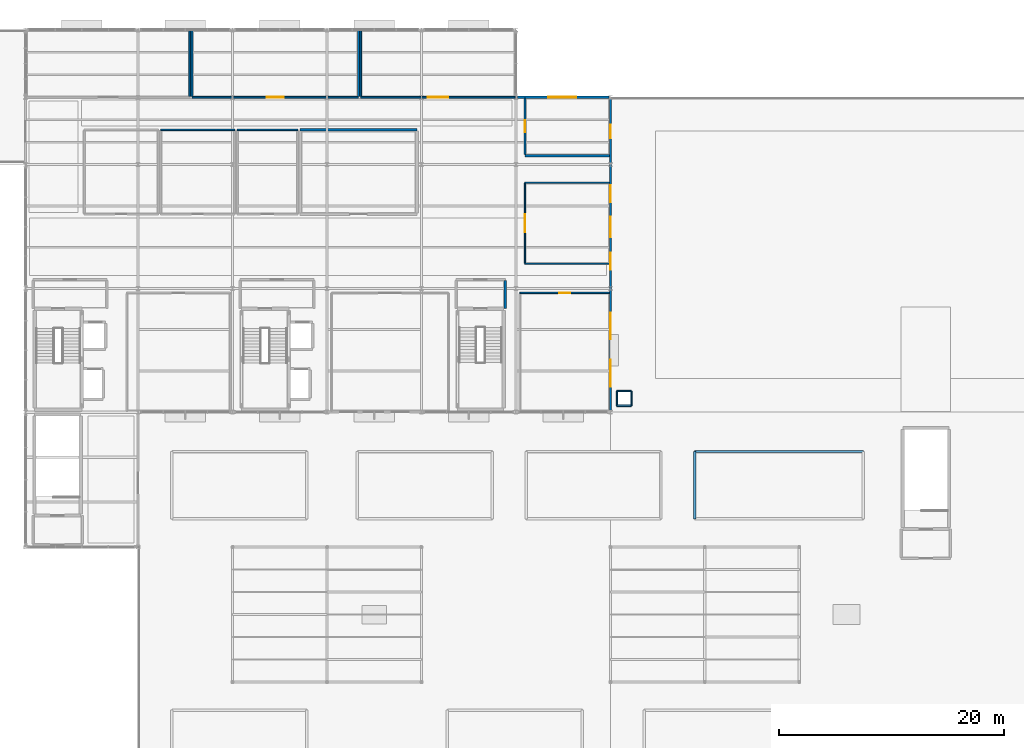
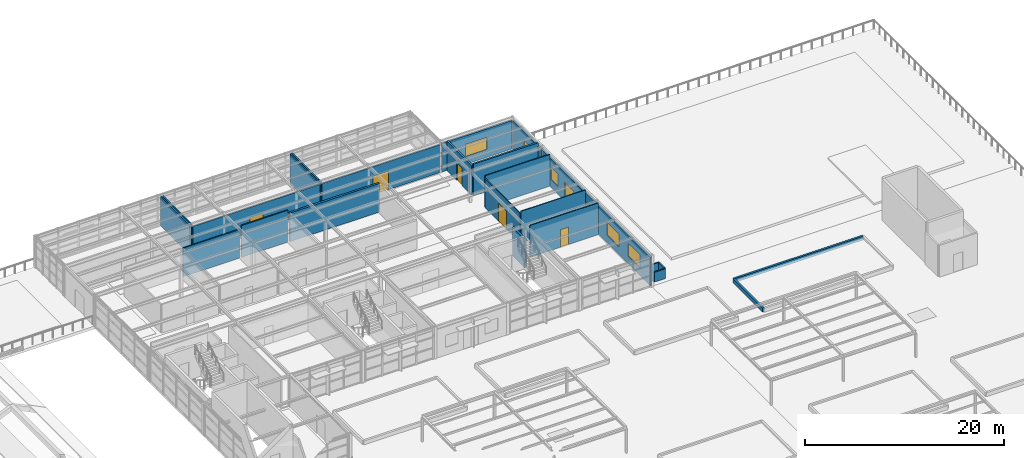
# One storey, part 43 of 49: 26 walls, 6 doors, 6 windows, 12 openings.
"""IFC4 building model written with IfcOpenShell, lengths in metres."""

from ifc_helpers import new_model, si_unit, direction, frame, frame_2d, origin, place, context, subcontext, project, spatial, rectangle, extrude, material, layer, layer_set, type_object, element, fill, save


model = new_model("IFC4")

# Units and contexts
model_context = context("Model", 3, precision=1e-05, world=origin(), true_north=direction((0.0, 1.0)))
body_context = subcontext(model_context, "Body", "Model", "MODEL_VIEW")
ifc_project = project(units=[si_unit("LENGTHUNIT", "METRE"), si_unit("AREAUNIT", "SQUARE_METRE"), si_unit("VOLUMEUNIT", "CUBIC_METRE"), si_unit("PLANEANGLEUNIT", "RADIAN"), si_unit("MASSUNIT", "GRAM", prefix="KILO")], contexts=[model_context])

# Site, building, storey
site_placement = place(None, origin())
site = spatial("IfcSite", under=ifc_project, at=site_placement, CompositionType="ELEMENT")
building_placement = place(site_placement, origin())
building = spatial("IfcBuilding", under=site, at=building_placement, Name="Sitalva Quay Ferry Terminal", CompositionType="ELEMENT")
storey_placement = place(building_placement, frame((0.0, 0.0, 10.199951171875)))
storey = spatial("IfcBuildingStorey", under=building, at=storey_placement, Name="L03", CompositionType="ELEMENT", Elevation=10.199951171875)

# Wall
ifc_material_1 = material(Name="Concrete Blockwork C30/37", Category="masonry")
ifc_layer_1 = layer(ifc_material_1, 0.2099609375)
ifc_layer_set_1 = layer_set([ifc_layer_1], Name="Concrete Blockwork C30/37")
wall_type_1 = type_object("IfcWallType", Name="Wall_Archive_210", PredefinedType="SOLIDWALL", material=ifc_layer_set_1)
wall_1_placement = place(storey_placement, frame((118.39990234375, 100.800048828125, 0.0), z_axis=(0.0, 0.0, 1.0), x_axis=(1.0, 0.0, 0.0)))
element("IfcWall", 1, at=wall_1_placement, inside=storey, type_object=wall_type_1, Name="Port Manifest & Maritime Registry Archive S wall IW-L03-0276", PredefinedType="SOLIDWALL", context=body_context, shape_type="SweptSolid", body=[
    extrude(rectangle(XDim=7.52001953125, YDim=0.2099609375, at=frame_2d((3.760009765625, 0.0))), origin(), (0.0, 0.0, 1.0), 3.900146484375),
])

# Wall, opening, door
wall_2_placement = place(storey_placement, frame((118.39990234375, 100.905029296875, 0.0), z_axis=(0.0, 0.0, 1.0), x_axis=(0.0, 1.0, 0.0)))
wall_2 = element("IfcWall", 2, at=wall_2_placement, inside=storey, type_object=wall_type_1, Name="Port Manifest & Maritime Registry Archive W wall IW-L03-0277", PredefinedType="SOLIDWALL", context=body_context, shape_type="SweptSolid", body=[
    extrude(rectangle(XDim=5.014892578125, YDim=0.2099609375, at=frame_2d((2.50732421875, 0.0))), origin(), (0.0, 0.0, 1.0), 3.60693359375),
])
opening_1_placement = place(wall_2_placement, frame((1.982421875, 0.0, 0.0)))
opening_1 = element("IfcOpeningElement", 3, at=opening_1_placement, cuts=wall_2, Name="Opening ID-L03-097", PredefinedType="OPENING", context=body_context, shape_type="SweptSolid", body=[
    extrude(rectangle(XDim=1.050048828125, YDim=2.14990234375, at=frame_2d((0.52490234375, 1.074951171875))), frame((0.0, 0.114990234375, 0.0), z_axis=(0.0, -1.0, 0.0), x_axis=(1.0, 0.0, 0.0)), (0.0, 0.0, 1.0), 0.22998046875),
])
ifc_material_2 = material(Name="Fire-Rated Steel Archive Door", Category="steel")
door_type_1 = type_object("IfcDoorType", Name="Door_Archive_1050x2150", OperationType="SINGLE_SWING_LEFT", PredefinedType="DOOR", material=ifc_material_2)
door_1_placement = place(opening_1_placement, origin())
door_1 = element("IfcDoor", 4, at=door_1_placement, inside=storey, type_object=door_type_1, Name="IDOOR-ID-L03-097 Port Manifest & Maritime Registry Archive entrance ID-L03-097", OperationType="SINGLE_SWING_LEFT", OverallHeight=2.14990234375, OverallWidth=1.050048828125, PredefinedType="DOOR", context=body_context, shape_type="SweptSolid", body=[
    extrude(rectangle(XDim=1.050048828125, YDim=2.14990234375, at=frame_2d((0.52490234375, 1.074951171875))), frame((0.0, 0.02490234375, 0.0), z_axis=(0.0, -1.0, 0.0), x_axis=(1.0, 0.0, 0.0)), (0.0, 0.0, 1.0), 0.050048828125),
])
fill(opening_1, door_1)

# Wall, openings, windows
ifc_material_3 = material(Name="Architectural Concrete C40/50", Category="concrete")
ifc_layer_2 = layer(ifc_material_3, 0.18994140625)
ifc_layer_set_2 = layer_set([ifc_layer_2], Name="Architectural Concrete C40/50")
wall_type_2 = type_object("IfcWallType", Name="Wall_ExtSpandrel_190", PredefinedType="SOLIDWALL", material=ifc_layer_set_2)
wall_3_placement = place(storey_placement, frame((126.0, 78.140380859375, 0.0), z_axis=(0.0, 0.0, 1.0), x_axis=(0.0, 1.0, 0.0)))
wall_3 = element("IfcWall", 5, at=wall_3_placement, inside=storey, type_object=wall_type_2, Name="L03 maritime bridge east terrace wall EW-L03-179", PredefinedType="SOLIDWALL", context=body_context, shape_type="SweptSolid", body=[
    extrude(rectangle(XDim=11.01220703125, YDim=0.18994140625, at=frame_2d((5.506103515625, 0.0))), origin(), (0.0, 0.0, 1.0), 3.508056640625),
])
opening_2_placement = place(wall_3_placement, frame((2.119384765625, 0.0, 0.949951171875)))
opening_2 = element("IfcOpeningElement", 6, at=opening_2_placement, cuts=wall_3, Name="Opening WN-L03-063", PredefinedType="OPENING", context=body_context, shape_type="SweptSolid", body=[
    extrude(rectangle(XDim=2.39990234375, YDim=1.60009765625, at=frame_2d((1.199951171875, 0.800048828125))), frame((0.0, 0.10498046875, 0.0), z_axis=(0.0, -1.0, 0.0), x_axis=(1.0, 0.0, 0.0)), (0.0, 0.0, 1.0), 0.2099609375),
])
opening_3_placement = place(wall_3_placement, frame((6.319580078125, 0.0, 0.949951171875)))
opening_3 = element("IfcOpeningElement", 7, at=opening_3_placement, cuts=wall_3, Name="Opening WN-L03-064", PredefinedType="OPENING", context=body_context, shape_type="SweptSolid", body=[
    extrude(rectangle(XDim=2.39990234375, YDim=1.60009765625, at=frame_2d((1.199951171875, 0.800048828125))), frame((0.0, 0.10498046875, 0.0), z_axis=(0.0, -1.0, 0.0), x_axis=(1.0, 0.0, 0.0)), (0.0, 0.0, 1.0), 0.2099609375),
])
ifc_material_4 = material(Name="Anodised Aluminium & Low-E Glass", Category="aluminium")
window_type_1 = type_object("IfcWindowType", Name="Win_Ribbon_2400x1600", PartitioningType="SINGLE_PANEL", PredefinedType="WINDOW", material=ifc_material_4)
window_1_placement = place(opening_2_placement, origin())
window_1 = element("IfcWindow", 8, at=window_1_placement, inside=storey, type_object=window_type_1, Name="L03 east office ribbon window WN-L03-063", OverallHeight=1.60009765625, OverallWidth=2.39990234375, PartitioningType="SINGLE_PANEL", PredefinedType="WINDOW", context=body_context, shape_type="SweptSolid", body=[
    extrude(rectangle(XDim=2.39990234375, YDim=1.60009765625, at=frame_2d((1.199951171875, 0.800048828125))), frame((0.0, 0.030029296875, 0.0), z_axis=(0.0, -1.0, 0.0), x_axis=(1.0, 0.0, 0.0)), (0.0, 0.0, 1.0), 0.06005859375),
])
fill(opening_2, window_1)
window_2_placement = place(opening_3_placement, origin())
window_2 = element("IfcWindow", 9, at=window_2_placement, inside=storey, type_object=window_type_1, Name="L03 east office ribbon window WN-L03-064", OverallHeight=1.60009765625, OverallWidth=2.39990234375, PartitioningType="SINGLE_PANEL", PredefinedType="WINDOW", context=body_context, shape_type="SweptSolid", body=[
    extrude(rectangle(XDim=2.39990234375, YDim=1.60009765625, at=frame_2d((1.199951171875, 0.800048828125))), frame((0.0, 0.030029296875, 0.0), z_axis=(0.0, -1.0, 0.0), x_axis=(1.0, 0.0, 0.0)), (0.0, 0.0, 1.0), 0.06005859375),
])
fill(opening_3, window_2)

# Wall, openings, door, windows
wall_4_placement = place(storey_placement, frame((126.0, 89.140380859375, 0.0), z_axis=(0.0, 0.0, 1.0), x_axis=(0.0, 1.0, 0.0)))
wall_4 = element("IfcWall", 10, at=wall_4_placement, inside=storey, type_object=wall_type_2, Name="L03 maritime bridge east terrace wall EW-L03-180", PredefinedType="SOLIDWALL", context=body_context, shape_type="SweptSolid", body=[
    extrude(rectangle(XDim=11.01220703125, YDim=0.18994140625, at=frame_2d((5.506103515625, 0.0))), origin(), (0.0, 0.0, 1.0), 3.508056640625),
])
opening_4_placement = place(wall_4_placement, frame((4.41943359375, 0.0, 0.0)))
opening_4 = element("IfcOpeningElement", 11, at=opening_4_placement, cuts=wall_4, Name="Opening ED-L03-041", PredefinedType="OPENING", context=body_context, shape_type="SweptSolid", body=[
    extrude(rectangle(XDim=1.800048828125, YDim=2.25, at=frame_2d((0.89990234375, 1.125))), frame((0.0, 0.10498046875, 0.0), z_axis=(0.0, -1.0, 0.0), x_axis=(1.0, 0.0, 0.0)), (0.0, 0.0, 1.0), 0.2099609375),
])
opening_5_placement = place(wall_4_placement, frame((1.51953125, 0.0, 0.949951171875)))
opening_5 = element("IfcOpeningElement", 12, at=opening_5_placement, cuts=wall_4, Name="Opening WN-L03-065", PredefinedType="OPENING", context=body_context, shape_type="SweptSolid", body=[
    extrude(rectangle(XDim=1.5, YDim=1.5, at=frame_2d((0.75, 0.75))), frame((0.0, 0.10498046875, 0.0), z_axis=(0.0, -1.0, 0.0), x_axis=(1.0, 0.0, 0.0)), (0.0, 0.0, 1.0), 0.2099609375),
])
opening_6_placement = place(wall_4_placement, frame((7.51953125, 0.0, 0.949951171875)))
opening_6 = element("IfcOpeningElement", 13, at=opening_6_placement, cuts=wall_4, Name="Opening WN-L03-066", PredefinedType="OPENING", context=body_context, shape_type="SweptSolid", body=[
    extrude(rectangle(XDim=1.5, YDim=1.5, at=frame_2d((0.75, 0.75))), frame((0.0, 0.10498046875, 0.0), z_axis=(0.0, -1.0, 0.0), x_axis=(1.0, 0.0, 0.0)), (0.0, 0.0, 1.0), 0.2099609375),
])
ifc_material_5 = material(Name="Anodised Aluminium & Low-E Glass", Category="aluminium")
door_type_2 = type_object("IfcDoorType", Name="Door_Terrace_1800x2250", OperationType="DOUBLE_DOOR_SINGLE_SWING", PredefinedType="DOOR", material=ifc_material_5)
door_2_placement = place(opening_4_placement, origin())
door_2 = element("IfcDoor", 14, at=door_2_placement, inside=storey, type_object=door_type_2, Name="EDOOR-ED-L03-041 L03 far-east planted roof terrace door ED-L03-041", OperationType="DOUBLE_DOOR_SINGLE_SWING", OverallHeight=2.25, OverallWidth=1.800048828125, PredefinedType="DOOR", context=body_context, shape_type="SweptSolid", body=[
    extrude(rectangle(XDim=1.800048828125, YDim=2.25, at=frame_2d((0.89990234375, 1.125))), frame((0.0, 0.02490234375, 0.0), z_axis=(0.0, -1.0, 0.0), x_axis=(1.0, 0.0, 0.0)), (0.0, 0.0, 1.0), 0.050048828125),
])
fill(opening_4, door_2)
ifc_material_6 = material(Name="Anodised Aluminium & Low-E Glass", Category="aluminium")
window_type_2 = type_object("IfcWindowType", Name="Win_Office_1500x1500", PartitioningType="SINGLE_PANEL", PredefinedType="WINDOW", material=ifc_material_6)
window_3_placement = place(opening_5_placement, origin())
window_3 = element("IfcWindow", 15, at=window_3_placement, inside=storey, type_object=window_type_2, Name="L03 east office window WN-L03-065", OverallHeight=1.5, OverallWidth=1.5, PartitioningType="SINGLE_PANEL", PredefinedType="WINDOW", context=body_context, shape_type="SweptSolid", body=[
    extrude(rectangle(XDim=1.5, YDim=1.5, at=frame_2d((0.75, 0.75))), frame((0.0, 0.030029296875, 0.0), z_axis=(0.0, -1.0, 0.0), x_axis=(1.0, 0.0, 0.0)), (0.0, 0.0, 1.0), 0.06005859375),
])
fill(opening_5, window_3)
window_4_placement = place(opening_6_placement, origin())
window_4 = element("IfcWindow", 16, at=window_4_placement, inside=storey, type_object=window_type_2, Name="L03 east office window WN-L03-066", OverallHeight=1.5, OverallWidth=1.5, PartitioningType="SINGLE_PANEL", PredefinedType="WINDOW", context=body_context, shape_type="SweptSolid", body=[
    extrude(rectangle(XDim=1.5, YDim=1.5, at=frame_2d((0.75, 0.75))), frame((0.0, 0.030029296875, 0.0), z_axis=(0.0, -1.0, 0.0), x_axis=(1.0, 0.0, 0.0)), (0.0, 0.0, 1.0), 0.06005859375),
])
fill(opening_6, window_4)

# Wall, opening, window
wall_5_placement = place(storey_placement, frame((126.0, 100.140380859375, 0.0), z_axis=(0.0, 0.0, 1.0), x_axis=(0.0, 1.0, 0.0)))
wall_5 = element("IfcWall", 17, at=wall_5_placement, inside=storey, type_object=wall_type_2, Name="L03 maritime bridge east terrace wall EW-L03-181", PredefinedType="SOLIDWALL", context=body_context, shape_type="SweptSolid", body=[
    extrude(rectangle(XDim=5.71923828125, YDim=0.18994140625, at=frame_2d((2.859619140625, 0.0))), origin(), (0.0, 0.0, 1.0), 3.508056640625),
])
opening_7_placement = place(wall_5_placement, frame((2.219482421875, 0.0, 1.10009765625)))
opening_7 = element("IfcOpeningElement", 18, at=opening_7_placement, cuts=wall_5, Name="Opening WN-L03-067", PredefinedType="OPENING", context=body_context, shape_type="SweptSolid", body=[
    extrude(rectangle(XDim=1.199951171875, YDim=1.39990234375, at=frame_2d((0.60009765625, 0.699951171875))), frame((0.0, 0.10498046875, 0.0), z_axis=(0.0, -1.0, 0.0), x_axis=(1.0, 0.0, 0.0)), (0.0, 0.0, 1.0), 0.2099609375),
])
ifc_material_7 = material(Name="Anodised Aluminium & Low-E Glass", Category="aluminium")
window_type_3 = type_object("IfcWindowType", Name="Win_Punched_1200x1400", PartitioningType="SINGLE_PANEL", PredefinedType="WINDOW", material=ifc_material_7)
window_5_placement = place(opening_7_placement, origin())
window_5 = element("IfcWindow", 19, at=window_5_placement, inside=storey, type_object=window_type_3, Name="L03 east room window WN-L03-067", OverallHeight=1.39990234375, OverallWidth=1.199951171875, PartitioningType="SINGLE_PANEL", PredefinedType="WINDOW", context=body_context, shape_type="SweptSolid", body=[
    extrude(rectangle(XDim=1.199951171875, YDim=1.39990234375, at=frame_2d((0.60009765625, 0.699951171875))), frame((0.0, 0.030029296875, 0.0), z_axis=(0.0, -1.0, 0.0), x_axis=(1.0, 0.0, 0.0)), (0.0, 0.0, 1.0), 0.06005859375),
])
fill(opening_7, window_5)

wall_6_placement = place(storey_placement, frame((117.738037109375, 106.0, 0.0), z_axis=(0.0, 0.0, 1.0), x_axis=(1.0, 0.0, 0.0)))
wall_6 = element("IfcWall", 20, at=wall_6_placement, inside=storey, type_object=wall_type_2, Name="L03 north-east step wall EW-L03-182", PredefinedType="SOLIDWALL", context=body_context, shape_type="SweptSolid", body=[
    extrude(rectangle(XDim=8.1240234375, YDim=0.18994140625, at=frame_2d((4.06201171875, 0.0))), origin(), (0.0, 0.0, 1.0), 3.5009765625),
])
opening_8_placement = place(wall_6_placement, frame((2.721923828125, 0.0, 0.949951171875)))
opening_8 = element("IfcOpeningElement", 21, at=opening_8_placement, cuts=wall_6, Name="Opening WN-L03-068", PredefinedType="OPENING", context=body_context, shape_type="SweptSolid", body=[
    extrude(rectangle(XDim=2.5, YDim=1.5, at=frame_2d((1.25, 0.75))), frame((0.0, 0.10498046875, 0.0), z_axis=(0.0, -1.0, 0.0), x_axis=(1.0, 0.0, 0.0)), (0.0, 0.0, 1.0), 0.2099609375),
])
ifc_material_8 = material(Name="Anodised Aluminium & Low-E Glass", Category="aluminium")
window_type_4 = type_object("IfcWindowType", Name="Win_AdminNorth_2500x1500", PartitioningType="SINGLE_PANEL", PredefinedType="WINDOW", material=ifc_material_8)
window_6_placement = place(opening_8_placement, origin())
window_6 = element("IfcWindow", 22, at=window_6_placement, inside=storey, type_object=window_type_4, Name="L03 north-east admin window WN-L03-068", OverallHeight=1.5, OverallWidth=2.5, PartitioningType="SINGLE_PANEL", PredefinedType="WINDOW", context=body_context, shape_type="SweptSolid", body=[
    extrude(rectangle(XDim=2.5, YDim=1.5, at=frame_2d((1.25, 0.75))), frame((0.0, 0.030029296875, 0.0), z_axis=(0.0, -1.0, 0.0), x_axis=(1.0, 0.0, 0.0)), (0.0, 0.0, 1.0), 0.06005859375),
])
fill(opening_8, window_6)

# Walls
ifc_material_9 = material(Name="Fire-Rated Blockwork C25/30", Category="masonry")
ifc_layer_3 = layer(ifc_material_9, 0.179931640625)
ifc_layer_set_3 = layer_set([ifc_layer_3], Name="Fire-Rated Blockwork C25/30")
wall_type_3 = type_object("IfcWallType", Name="Wall_FireLobby_180", PredefinedType="SOLIDWALL", material=ifc_layer_set_3)
wall_7_placement = place(storey_placement, frame((116.64990234375, 87.199951171875, 0.0), z_axis=(0.0, 0.0, 1.0), x_axis=(0.0, 1.0, 0.0)))
element("IfcWall", 23, at=wall_7_placement, inside=storey, type_object=wall_type_3, Name="Firefighting & Lift Lobby C4 E wall IW-L03-0039", PredefinedType="SOLIDWALL", context=body_context, shape_type="SweptSolid", body=[
    extrude(rectangle(XDim=2.510009765625, YDim=0.179931640625, at=frame_2d((1.2548828125, 0.0))), origin(), (0.0, 0.0, 1.0), 3.5029296875),
])
ifc_material_10 = material(Name="Double-Glazed Acoustic Partition", Category="glass")
ifc_layer_4 = layer(ifc_material_10, 0.110107421875)
ifc_layer_set_4 = layer_set([ifc_layer_4], Name="Double-Glazed Acoustic Partition")
wall_type_4 = type_object("IfcWallType", Name="Wall_GlazedScreen_110", PredefinedType="MOVABLE", material=ifc_layer_set_4)
for number, where, z_axis, x_axis, name in (
    (24, (118.39990234375, 91.199951171875, 0.0), (0.0, 0.0, 1.0), (1.0, 0.0, 0.0), "East Terrace Staff Tea Lounge S wall IW-L03-0273"),
    (25, (118.39990234375, 98.39990234375, 0.0), (0.0, 0.0, 1.0), (1.0, 0.0, 0.0), "East Terrace Staff Tea Lounge N wall IW-L03-0274"),
):
    element("IfcWall", number, at=place(storey_placement, frame(where, z_axis=z_axis, x_axis=x_axis)), inside=storey, type_object=wall_type_4, Name=name, PredefinedType="MOVABLE", context=body_context, shape_type="SweptSolid", body=[
        extrude(rectangle(XDim=7.52001953125, YDim=0.110107421875, at=frame_2d((3.760009765625, 0.0))), origin(), (0.0, 0.0, 1.0), 3.900146484375),
    ])

# Wall, opening, door
wall_8_placement = place(storey_placement, frame((118.39990234375, 91.2548828125, 0.0), z_axis=(0.0, 0.0, 1.0), x_axis=(0.0, 1.0, 0.0)))
wall_8 = element("IfcWall", 26, at=wall_8_placement, inside=storey, type_object=wall_type_4, Name="East Terrace Staff Tea Lounge W wall IW-L03-0275", PredefinedType="MOVABLE", context=body_context, shape_type="SweptSolid", body=[
    extrude(rectangle(XDim=7.090087890625, YDim=0.110107421875, at=frame_2d((3.544921875, 0.0))), origin(), (0.0, 0.0, 1.0), 3.60693359375),
])
opening_9_placement = place(wall_8_placement, frame((2.7451171875, 0.0, 0.0)))
opening_9 = element("IfcOpeningElement", 27, at=opening_9_placement, cuts=wall_8, Name="Opening ID-L03-096", PredefinedType="OPENING", context=body_context, shape_type="SweptSolid", body=[
    extrude(rectangle(XDim=1.60009765625, YDim=2.199951171875, at=frame_2d((0.800048828125, 1.10009765625))), frame((0.0, 0.06494140625, 0.0), z_axis=(0.0, -1.0, 0.0), x_axis=(1.0, 0.0, 0.0)), (0.0, 0.0, 1.0), 0.130126953125),
])
ifc_material_11 = material(Name="Glazed Timber Acoustic Door", Category="wood")
door_type_3 = type_object("IfcDoorType", Name="Door_Meeting_1600x2200", OperationType="DOUBLE_DOOR_SINGLE_SWING", PredefinedType="DOOR", material=ifc_material_11)
door_3_placement = place(opening_9_placement, origin())
door_3 = element("IfcDoor", 28, at=door_3_placement, inside=storey, type_object=door_type_3, Name="IDOOR-ID-L03-096 East Terrace Staff Tea Lounge entrance ID-L03-096", OperationType="DOUBLE_DOOR_SINGLE_SWING", OverallHeight=2.199951171875, OverallWidth=1.60009765625, PredefinedType="DOOR", context=body_context, shape_type="SweptSolid", body=[
    extrude(rectangle(XDim=1.60009765625, YDim=2.199951171875, at=frame_2d((0.800048828125, 1.10009765625))), frame((0.0, 0.02490234375, 0.0), z_axis=(0.0, -1.0, 0.0), x_axis=(1.0, 0.0, 0.0)), (0.0, 0.0, 1.0), 0.050048828125),
])
fill(opening_9, door_3)

ifc_material_12 = material(Name="Steel-Stud Gypsum Partition", Category="steel")
ifc_layer_5 = layer(ifc_material_12, 0.125)
ifc_layer_set_5 = layer_set([ifc_layer_5], Name="Steel-Stud Gypsum Partition")
wall_type_5 = type_object("IfcWallType", Name="Wall_Partition_125", PredefinedType="PARTITIONING", material=ifc_layer_set_5)
wall_9_placement = place(storey_placement, frame((117.949951171875, 88.60009765625, 0.0), z_axis=(0.0, 0.0, 1.0), x_axis=(1.0, 0.0, 0.0)))
wall_9 = element("IfcWall", 29, at=wall_9_placement, inside=storey, type_object=wall_type_5, Name="Hydrographic Survey & River Charting Suite N wall IW-L03-0271", PredefinedType="PARTITIONING", context=body_context, shape_type="SweptSolid", body=[
    extrude(rectangle(XDim=7.969970703125, YDim=0.125, at=frame_2d((3.98486328125, 0.0))), origin(), (0.0, 0.0, 1.0), 3.900146484375),
])
opening_10_placement = place(wall_9_placement, frame((3.510009765625, 0.0, 0.0)))
opening_10 = element("IfcOpeningElement", 30, at=opening_10_placement, cuts=wall_9, Name="Opening ID-L03-095", PredefinedType="OPENING", context=body_context, shape_type="SweptSolid", body=[
    extrude(rectangle(XDim=0.949951171875, YDim=2.14990234375, at=frame_2d((0.47509765625, 1.074951171875))), frame((0.0, 0.072509765625, 0.0), z_axis=(0.0, -1.0, 0.0), x_axis=(1.0, 0.0, 0.0)), (0.0, 0.0, 1.0), 0.14501953125),
])
ifc_material_13 = material(Name="Hardwood Acoustic Veneer Door", Category="wood")
door_type_4 = type_object("IfcDoorType", Name="Door_Office_950x2150", OperationType="SINGLE_SWING_LEFT", PredefinedType="DOOR", material=ifc_material_13)
door_4_placement = place(opening_10_placement, origin())
door_4 = element("IfcDoor", 31, at=door_4_placement, inside=storey, type_object=door_type_4, Name="IDOOR-ID-L03-095 Hydrographic Survey & River Charting Suite entrance ID-L03-095", OperationType="SINGLE_SWING_LEFT", OverallHeight=2.14990234375, OverallWidth=0.949951171875, PredefinedType="DOOR", context=body_context, shape_type="SweptSolid", body=[
    extrude(rectangle(XDim=0.949951171875, YDim=2.14990234375, at=frame_2d((0.47509765625, 1.074951171875))), frame((0.0, 0.02490234375, 0.0), z_axis=(0.0, -1.0, 0.0), x_axis=(1.0, 0.0, 0.0)), (0.0, 0.0, 1.0), 0.050048828125),
])
fill(opening_10, door_4)

ifc_material_14 = material(Name="Acoustic Twin-Stud Gypsum Partition", Category="gypsum")
ifc_layer_6 = layer(ifc_material_14, 0.14990234375)
ifc_layer_set_6 = layer_set([ifc_layer_6], Name="Acoustic Twin-Stud Gypsum Partition")
wall_type_6 = type_object("IfcWallType", Name="Wall_Partition_150", PredefinedType="PARTITIONING", material=ifc_layer_set_6)
wall_10_placement = place(storey_placement, frame((88.800048828125, 106.0, 0.0), z_axis=(0.0, 0.0, 1.0), x_axis=(1.0, 0.0, 0.0)))
wall_10 = element("IfcWall", 32, at=wall_10_placement, inside=storey, type_object=wall_type_6, Name="River Safety & Crew Training Classroom S wall IW-L03-0280", PredefinedType="PARTITIONING", context=body_context, shape_type="SweptSolid", body=[
    extrude(rectangle(XDim=14.800048828125, YDim=0.14990234375, at=frame_2d((7.39990234375, 0.0))), origin(), (0.0, 0.0, 1.0), 3.43310546875),
])
opening_11_placement = place(wall_10_placement, frame((6.625, 0.0, 0.0)))
opening_11 = element("IfcOpeningElement", 33, at=opening_11_placement, cuts=wall_10, Name="Opening ID-L03-099", PredefinedType="OPENING", context=body_context, shape_type="SweptSolid", body=[
    extrude(rectangle(XDim=1.550048828125, YDim=2.199951171875, at=frame_2d((0.77490234375, 1.10009765625))), frame((0.0, 0.0849609375, 0.0), z_axis=(0.0, -1.0, 0.0), x_axis=(1.0, 0.0, 0.0)), (0.0, 0.0, 1.0), 0.169921875),
])
ifc_material_15 = material(Name="Glazed Timber Classroom Door", Category="wood")
door_type_5 = type_object("IfcDoorType", Name="Door_Training_1550x2200", OperationType="DOUBLE_DOOR_SINGLE_SWING", PredefinedType="DOOR", material=ifc_material_15)
door_5_placement = place(opening_11_placement, origin())
door_5 = element("IfcDoor", 34, at=door_5_placement, inside=storey, type_object=door_type_5, Name="IDOOR-ID-L03-099 River Safety & Crew Training Classroom entrance ID-L03-099", OperationType="DOUBLE_DOOR_SINGLE_SWING", OverallHeight=2.199951171875, OverallWidth=1.550048828125, PredefinedType="DOOR", context=body_context, shape_type="SweptSolid", body=[
    extrude(rectangle(XDim=1.550048828125, YDim=2.199951171875, at=frame_2d((0.77490234375, 1.10009765625))), frame((0.0, 0.02490234375, 0.0), z_axis=(0.0, -1.0, 0.0), x_axis=(1.0, 0.0, 0.0)), (0.0, 0.0, 1.0), 0.050048828125),
])
fill(opening_11, door_5)

# Walls
for number, where, z_axis, x_axis, name in (
    (35, (88.800048828125, 106.074951171875, 0.0), (0.0, 0.0, 1.0), (0.0, 1.0, 0.0), "River Safety & Crew Training Classroom W wall IW-L03-0281"),
    (36, (103.60009765625, 106.074951171875, 0.0), (0.0, 0.0, 1.0), (0.0, 1.0, 0.0), "River Safety & Crew Training Classroom E wall IW-L03-0282"),
):
    element("IfcWall", number, at=place(storey_placement, frame(where, z_axis=z_axis, x_axis=x_axis)), inside=storey, type_object=wall_type_6, Name=name, PredefinedType="PARTITIONING", context=body_context, shape_type="SweptSolid", body=[
        extrude(rectangle(XDim=5.844970703125, YDim=0.14990234375, at=frame_2d((2.92236328125, 0.0))), origin(), (0.0, 0.0, 1.0), 3.588134765625),
    ])

# Wall, opening, door
wall_11_placement = place(storey_placement, frame((103.800048828125, 106.0, 0.0), z_axis=(0.0, 0.0, 1.0), x_axis=(1.0, 0.0, 0.0)))
wall_11 = element("IfcWall", 37, at=wall_11_placement, inside=storey, type_object=wall_type_6, Name="Maritime Staff Dining Room S wall IW-L03-0283", PredefinedType="PARTITIONING", context=body_context, shape_type="SweptSolid", body=[
    extrude(rectangle(XDim=13.719970703125, YDim=0.14990234375, at=frame_2d((6.85986328125, 0.0))), origin(), (0.0, 0.0, 1.0), 3.43310546875),
])
opening_12_placement = place(wall_11_placement, frame((5.9599609375, 0.0, 0.0)))
opening_12 = element("IfcOpeningElement", 38, at=opening_12_placement, cuts=wall_11, Name="Opening ID-L03-100", PredefinedType="OPENING", context=body_context, shape_type="SweptSolid", body=[
    extrude(rectangle(XDim=1.800048828125, YDim=2.300048828125, at=frame_2d((0.89990234375, 1.14990234375))), frame((0.0, 0.0849609375, 0.0), z_axis=(0.0, -1.0, 0.0), x_axis=(1.0, 0.0, 0.0)), (0.0, 0.0, 1.0), 0.169921875),
])
ifc_material_16 = material(Name="Anodised Aluminium & Toughened Glass", Category="aluminium")
door_type_6 = type_object("IfcDoorType", Name="Door_Retail_1800x2300", OperationType="DOUBLE_DOOR_SINGLE_SWING", PredefinedType="DOOR", material=ifc_material_16)
door_6_placement = place(opening_12_placement, origin())
door_6 = element("IfcDoor", 39, at=door_6_placement, inside=storey, type_object=door_type_6, Name="IDOOR-ID-L03-100 Maritime Staff Dining Room entrance ID-L03-100", OperationType="DOUBLE_DOOR_SINGLE_SWING", OverallHeight=2.300048828125, OverallWidth=1.800048828125, PredefinedType="DOOR", context=body_context, shape_type="SweptSolid", body=[
    extrude(rectangle(XDim=1.800048828125, YDim=2.300048828125, at=frame_2d((0.89990234375, 1.14990234375))), frame((0.0, 0.02490234375, 0.0), z_axis=(0.0, -1.0, 0.0), x_axis=(1.0, 0.0, 0.0)), (0.0, 0.0, 1.0), 0.050048828125),
])
fill(opening_12, door_6)

# Walls
wall_12_placement = place(storey_placement, frame((103.800048828125, 106.074951171875, 0.0), z_axis=(0.0, 0.0, 1.0), x_axis=(0.0, 1.0, 0.0)))
element("IfcWall", 40, at=wall_12_placement, inside=storey, type_object=wall_type_6, Name="Maritime Staff Dining Room W wall IW-L03-0284", PredefinedType="PARTITIONING", context=body_context, shape_type="SweptSolid", body=[
    extrude(rectangle(XDim=5.844970703125, YDim=0.14990234375, at=frame_2d((2.92236328125, 0.0))), origin(), (0.0, 0.0, 1.0), 3.588134765625),
])
ifc_material_17 = material(Name="High-Acoustic Twin-Stud Partition", Category="gypsum")
ifc_layer_7 = layer(ifc_material_17, 0.1650390625)
ifc_layer_set_7 = layer_set([ifc_layer_7], Name="High-Acoustic Twin-Stud Partition")
wall_type_7 = type_object("IfcWallType", Name="Wall_Partition_165", PredefinedType="PARTITIONING", material=ifc_layer_set_7)
wall_13_placement = place(storey_placement, frame((88.60009765625, 106.08251953125, 0.0), z_axis=(0.0, 0.0, 1.0), x_axis=(0.0, 1.0, 0.0)))
element("IfcWall", 41, at=wall_13_placement, inside=storey, type_object=wall_type_7, Name="Port Authority Boardroom E wall IW-L03-0279", PredefinedType="PARTITIONING", context=body_context, shape_type="SweptSolid", body=[
    extrude(rectangle(XDim=5.83740234375, YDim=0.1650390625, at=frame_2d((2.918701171875, 0.0))), origin(), (0.0, 0.0, 1.0), 3.588134765625),
])
ifc_material_18 = material(Name="High-Density Concrete C35/45", Category="concrete")
ifc_layer_8 = layer(ifc_material_18, 0.239990234375)
ifc_layer_set_8 = layer_set([ifc_layer_8], Name="High-Density Concrete C35/45")
wall_type_8 = type_object("IfcWallType", Name="Wall_PlantAcoustic_240", PredefinedType="SOLIDWALL", material=ifc_layer_set_8)
wall_14_placement = place(storey_placement, frame((98.39990234375, 103.10009765625, 0.0), z_axis=(0.0, 0.0, 1.0), x_axis=(1.0, 0.0, 0.0)))
element("IfcWall", 42, at=wall_14_placement, inside=storey, type_object=wall_type_8, Name="Telecoms & UPS Battery Plant N wall IW-L03-0298", PredefinedType="SOLIDWALL", context=body_context, shape_type="SweptSolid", body=[
    extrude(rectangle(XDim=10.400146484375, YDim=0.239990234375, at=frame_2d((5.2001953125, 0.0))), origin(), (0.0, 0.0, 1.0), 3.510009765625),
])
ifc_material_19 = material(Name="Concrete C35/45", Category="concrete")
ifc_layer_9 = layer(ifc_material_19, 0.219970703125)
ifc_layer_set_9 = layer_set([ifc_layer_9], Name="Concrete C35/45")
wall_type_9 = type_object("IfcWallType", Name="Wall_PlanterKerb_220", PredefinedType="PARAPET", material=ifc_layer_set_9)
wall_15_placement = place(storey_placement, frame((133.5, 74.5, 0.0), z_axis=(0.0, 0.0, 1.0), x_axis=(1.0, 0.0, 0.0)))
element("IfcWall", 43, at=wall_15_placement, inside=storey, type_object=wall_type_9, Name="Roof park planted parterre 12 kerb N", PredefinedType="PARAPET", context=body_context, shape_type="SweptSolid", body=[
    extrude(rectangle(XDim=15.0, YDim=0.219970703125, at=frame_2d((7.5, 0.0))), origin(), (0.0, 0.0, 1.0), 0.47998046875),
])
wall_16_placement = place(storey_placement, frame((133.5, 68.5, 0.0), z_axis=(0.0, 0.0, 1.0), x_axis=(0.0, 1.0, 0.0)))
element("IfcWall", 44, at=wall_16_placement, inside=storey, type_object=wall_type_9, Name="Roof park planted parterre 12 kerb W", PredefinedType="PARAPET", context=body_context, shape_type="SweptSolid", body=[
    extrude(rectangle(XDim=6.0, YDim=0.219970703125, at=frame_2d((3.0, 0.0))), origin(), (0.0, 0.0, 1.0), 0.47998046875),
])
ifc_material_20 = material(Name="Concrete C35/45", Category="concrete")
ifc_layer_10 = layer(ifc_material_20, 0.14990234375)
ifc_layer_set_10 = layer_set([ifc_layer_10], Name="Concrete C35/45")
wall_type_10 = type_object("IfcWallType", Name="Wall_RiserShaft_150", PredefinedType="PLUMBINGWALL", material=ifc_layer_set_10)
for number, where, z_axis, x_axis, name in (
    (45, (126.574951171875, 78.574951171875, 0.0), (0.0, 0.0, 1.0), (1.0, 0.0, 0.0), "L03 service riser 010 wall S"),
    (46, (126.574951171875, 79.875, 0.0), (0.0, 0.0, 1.0), (1.0, 0.0, 0.0), "L03 service riser 010 wall N"),
    (47, (126.574951171875, 78.574951171875, 0.0), (0.0, 0.0, 1.0), (0.0, 1.0, 0.0), "L03 service riser 010 wall W"),
    (48, (127.875, 78.574951171875, 0.0), (0.0, 0.0, 1.0), (0.0, 1.0, 0.0), "L03 service riser 010 wall E"),
):
    element("IfcWall", number, at=place(storey_placement, frame(where, z_axis=z_axis, x_axis=x_axis)), inside=storey, type_object=wall_type_10, Name=name, PredefinedType="PLUMBINGWALL", context=body_context, shape_type="SweptSolid", body=[
        extrude(rectangle(XDim=1.300048828125, YDim=0.14990234375, at=frame_2d((0.64990234375, 0.0))), origin(), (0.0, 0.0, 1.0), 1.199951171875),
    ])
ifc_material_21 = material(Name="Moisture-Resistant Cement Board Partition", Category="gypsum")
ifc_layer_11 = layer(ifc_material_21, 0.139892578125)
ifc_layer_set_11 = layer_set([ifc_layer_11], Name="Moisture-Resistant Cement Board Partition")
wall_type_11 = type_object("IfcWallType", Name="Wall_WetRoom_140", PredefinedType="PARTITIONING", material=ifc_layer_set_11)
wall_17_placement = place(storey_placement, frame((86.0, 103.10009765625, 0.0), z_axis=(0.0, 0.0, 1.0), x_axis=(1.0, 0.0, 0.0)))
element("IfcWall", 49, at=wall_17_placement, inside=storey, type_object=wall_type_11, Name="L03 Female Staff Toilets N wall IW-L03-0290", PredefinedType="PARTITIONING", context=body_context, shape_type="SweptSolid", body=[
    extrude(rectangle(XDim=6.60009765625, YDim=0.139892578125, at=frame_2d((3.300048828125, 0.0))), origin(), (0.0, 0.0, 1.0), 3.510009765625),
])
wall_18_placement = place(storey_placement, frame((92.800048828125, 103.10009765625, 0.0), z_axis=(0.0, 0.0, 1.0), x_axis=(1.0, 0.0, 0.0)))
element("IfcWall", 50, at=wall_18_placement, inside=storey, type_object=wall_type_11, Name="L03 Accessible WC N wall IW-L03-0294", PredefinedType="PARTITIONING", context=body_context, shape_type="SweptSolid", body=[
    extrude(rectangle(XDim=5.39990234375, YDim=0.139892578125, at=frame_2d((2.699951171875, 0.0))), origin(), (0.0, 0.0, 1.0), 3.900146484375),
])

save(model, "model.ifc")
